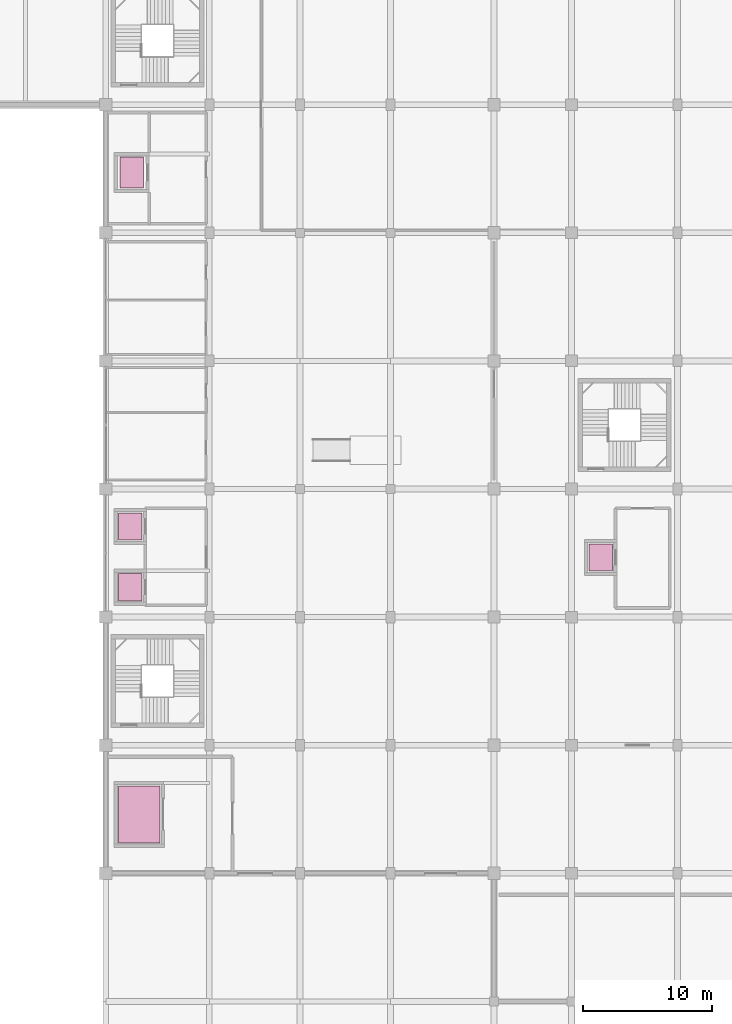
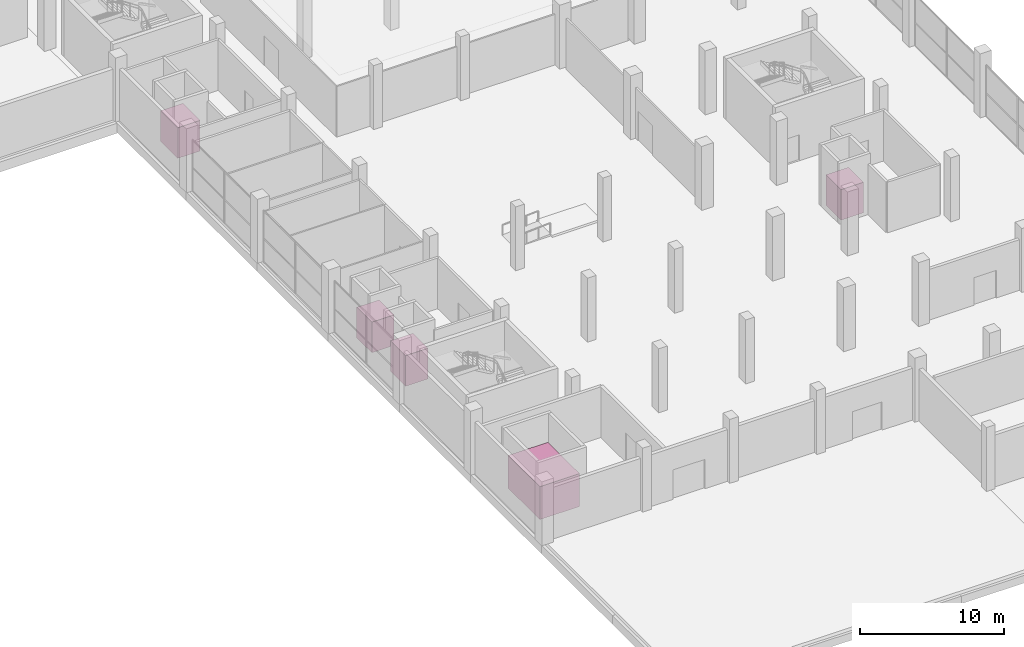
# One storey, part 50 of 50: 5 transport elements.
"""IFC4 building model written with IfcOpenShell, lengths in metres."""

from ifc_helpers import new_model, si_unit, direction, frame, origin, origin_2d, place, context, subcontext, project, spatial, rectangle, extrude, material, type_object, element, save


model = new_model("IFC4")

# Units and contexts
model_context = context("Model", 3, precision=1e-05, world=origin(), true_north=direction((0.0, 1.0)))
body_context = subcontext(model_context, "Body", "Model", "MODEL_VIEW")
ifc_project = project(units=[si_unit("LENGTHUNIT", "METRE"), si_unit("AREAUNIT", "SQUARE_METRE"), si_unit("VOLUMEUNIT", "CUBIC_METRE"), si_unit("PLANEANGLEUNIT", "RADIAN"), si_unit("MASSUNIT", "GRAM", prefix="KILO")], contexts=[model_context])

# Site, building, storey
site_placement = place(None, origin())
site = spatial("IfcSite", under=ifc_project, at=site_placement, CompositionType="ELEMENT")
building_placement = place(site_placement, origin())
building = spatial("IfcBuilding", under=site, at=building_placement, Name="Sillaruma Civic Art Gallery", CompositionType="ELEMENT")
storey_placement = place(building_placement, origin())
storey = spatial("IfcBuildingStorey", under=building, at=storey_placement, Name="L00", CompositionType="ELEMENT", Elevation=0.0)

# Transport elements
ifc_material_1 = material(Name="Stainless Steel AISI 316", Category="steel")
transport_element_type_1 = type_object("IfcTransportElementType", Name="LFT-FFL-1800", PredefinedType="ELEVATOR", material=ifc_material_1)
transport_element_1_placement = place(storey_placement, frame((64.0, 73.949951171875, 0.0), z_axis=(0.0, 0.0, 1.0), x_axis=(1.0, 0.0, 0.0)))
element("IfcTransportElement", 1, at=transport_element_1_placement, inside=storey, type_object=transport_element_type_1, Name="Firefighting Emergency Lift FFL-01", PredefinedType="ELEVATOR", context=body_context, shape_type="SweptSolid", body=[
    extrude(rectangle(XDim=1.800048828125, YDim=2.39990234375, at=origin_2d()), origin(), (0.0, 0.0, 1.0), 2.60009765625),
])
ifc_material_2 = material(Name="Structural Steel ASTM A992 Gr.50", Category="steel")
transport_element_type_2 = type_object("IfcTransportElementType", Name="LFT-GDS-5000", PredefinedType="ELEVATOR", material=ifc_material_2)
transport_element_2_placement = place(storey_placement, frame((64.60009765625, 24.35009765625, 0.0), z_axis=(0.0, 0.0, 1.0), x_axis=(1.0, 0.0, 0.0)))
element("IfcTransportElement", 2, at=transport_element_2_placement, inside=storey, type_object=transport_element_type_2, Name="Goods Lift GL-01", PredefinedType="ELEVATOR", context=body_context, shape_type="SweptSolid", body=[
    extrude(rectangle(XDim=3.199951171875, YDim=4.39990234375, at=origin_2d()), origin(), (0.0, 0.0, 1.0), 2.800048828125),
])
ifc_material_3 = material(Name="Stainless Steel AISI 304", Category="steel")
transport_element_type_3 = type_object("IfcTransportElementType", Name="LFT-PAS-1600", PredefinedType="ELEVATOR", material=ifc_material_3)
for number, where, z_axis, x_axis, name in (
    (3, (63.89990234375, 41.89990234375, 0.0), (0.0, 0.0, 1.0), (1.0, 0.0, 0.0), "Passenger Lift PL-01"),
    (4, (63.89990234375, 46.60009765625, 0.0), (0.0, 0.0, 1.0), (1.0, 0.0, 0.0), "Passenger Lift PL-02"),
    (5, (100.25, 44.199951171875, 0.0), (0.0, 0.0, 1.0), (1.0, 0.0, 0.0), "Passenger Lift PL-03"),
):
    element("IfcTransportElement", number, at=place(storey_placement, frame(where, z_axis=z_axis, x_axis=x_axis)), inside=storey, type_object=transport_element_type_3, Name=name, PredefinedType="ELEVATOR", context=body_context, shape_type="SweptSolid", body=[
        extrude(rectangle(XDim=1.800048828125, YDim=2.10009765625, at=origin_2d()), origin(), (0.0, 0.0, 1.0), 2.60009765625),
    ])

save(model, "model.ifc")
